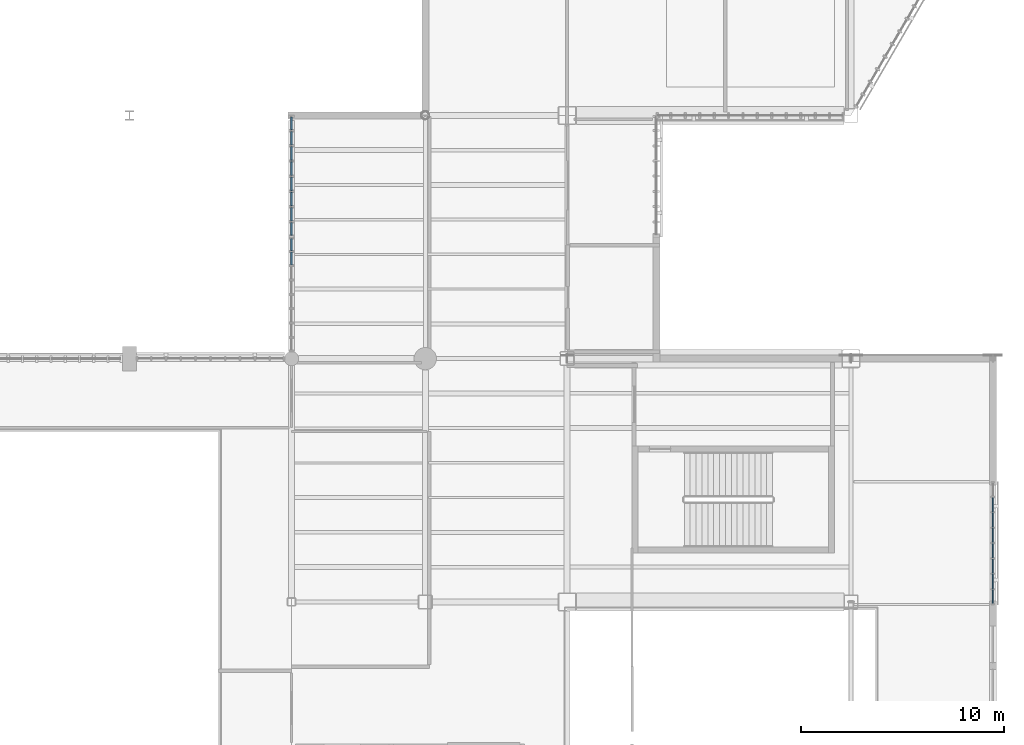
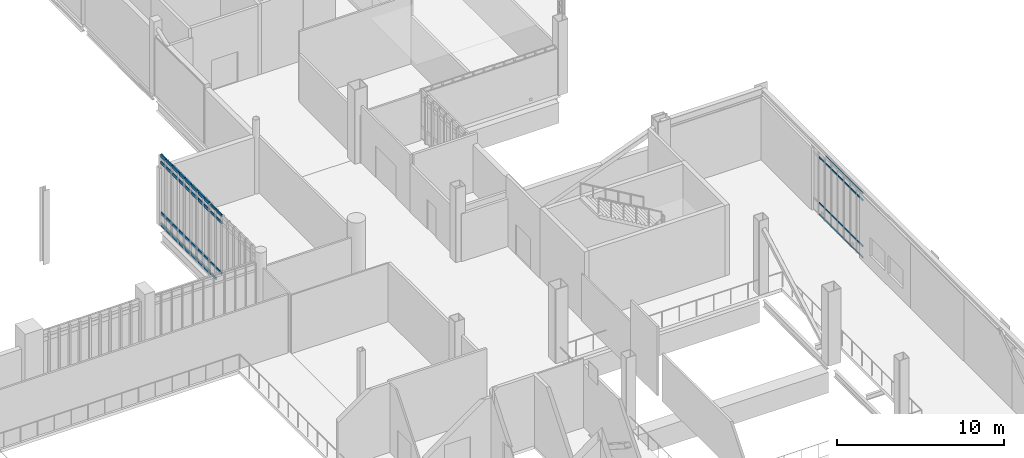
# One storey, part 55 of 127: 66 members, 3 elements without a shape of their own.
"""IFC4 building model written with IfcOpenShell, lengths in metres."""

from ifc_helpers import new_model, si_unit, direction, frame, origin, origin_2d, place, context, subcontext, project, spatial, rectangle, extrude, material, material_profile, profile_set, type_object, element, aggregate, save


model = new_model("IFC4")

# Units and contexts
model_context = context("Model", 3, precision=1e-05, world=origin(), true_north=direction((0.0, 1.0)))
body_context = subcontext(model_context, "Body", "Model", "MODEL_VIEW")
ifc_project = project(units=[si_unit("LENGTHUNIT", "METRE"), si_unit("AREAUNIT", "SQUARE_METRE"), si_unit("VOLUMEUNIT", "CUBIC_METRE"), si_unit("PLANEANGLEUNIT", "RADIAN"), si_unit("MASSUNIT", "GRAM", prefix="KILO")], contexts=[model_context])

# Site, building, storey
site_placement = place(None, origin())
site = spatial("IfcSite", under=ifc_project, at=site_placement, CompositionType="ELEMENT")
building_placement = place(site_placement, origin())
building = spatial("IfcBuilding", under=site, at=building_placement, Name="Larkvane Passage Sports Hall", CompositionType="ELEMENT")
storey_placement = place(building_placement, frame((0.0, 0.0, 5.39990234375)))
storey = spatial("IfcBuildingStorey", under=building, at=storey_placement, Name="L01", CompositionType="ELEMENT", Elevation=5.39990234375)

# Curtain wall, members
ifc_material_1 = material(Name="Thermally broken aluminium and low-E glazing", Category="aluminium")
curtain_wall_type_1 = type_object("IfcCurtainWallType", Name="CW-UNIT-COURT", PredefinedType="USERDEFINED", material=ifc_material_1)
curtain_wall_1_placement = place(storey_placement, origin())
curtain_wall_1 = element("IfcCurtainWall", 1, at=curtain_wall_1_placement, inside=storey, type_object=curtain_wall_type_1, Name="Curtain wall CW5-L01-060", ObjectType="UNITISED CURTAIN WALL", PredefinedType="USERDEFINED")
ifc_material_2 = material(Name="Anodised aluminium 6063-T6", Category="aluminium")
ifc_material_profile_1 = material_profile(ifc_material_2, rectangle(XDim=0.06005859375, YDim=0.1201171875, at=origin_2d()), Name="ALU-TRN-60x120")
ifc_profile_set_1 = profile_set([ifc_material_profile_1], Name="Anodised aluminium 6063-T6")
member_type_1 = type_object("IfcMemberType", Name="CW-TRN-60x120", PredefinedType="USERDEFINED", material=ifc_profile_set_1)
member_1_placement = place(storey_placement, frame((152.60009765625, 44.744873046875, 0.030029296875), z_axis=(0.0, -1.0, 0.0), x_axis=(1.0, 0.0, 0.0)))
member_1 = element("IfcMember", 2, at=member_1_placement, type_object=member_type_1, Name="CW-01 transom 2.1", ObjectType="TRANSOM", PredefinedType="USERDEFINED", context=body_context, shape_type="SweptSolid", body=[
    extrude(rectangle(XDim=0.06005859375, YDim=0.1201171875, at=origin_2d()), origin(), (0.0, 0.0, 1.0), 0.6982421875),
])
member_2_placement = place(storey_placement, frame((152.60009765625, 44.744873046875, 0.85009765625), z_axis=(0.0, -1.0, 0.0), x_axis=(1.0, 0.0, 0.0)))
member_2 = element("IfcMember", 3, at=member_2_placement, type_object=member_type_1, Name="CW-01 transom 2.2", ObjectType="TRANSOM", PredefinedType="USERDEFINED", context=body_context, shape_type="SweptSolid", body=[
    extrude(rectangle(XDim=0.06005859375, YDim=0.1201171875, at=origin_2d()), origin(), (0.0, 0.0, 1.0), 0.6982421875),
])
member_3_placement = place(storey_placement, frame((152.60009765625, 44.744873046875, 4.197998046875), z_axis=(0.0, -1.0, 0.0), x_axis=(1.0, 0.0, 0.0)))
member_3 = element("IfcMember", 4, at=member_3_placement, type_object=member_type_1, Name="CW-01 transom 2.3", ObjectType="TRANSOM", PredefinedType="USERDEFINED", context=body_context, shape_type="SweptSolid", body=[
    extrude(rectangle(XDim=0.06005859375, YDim=0.1201171875, at=origin_2d()), origin(), (0.0, 0.0, 1.0), 0.6982421875),
])
member_4_placement = place(storey_placement, frame((152.60009765625, 43.986572265625, 0.030029296875), z_axis=(0.0, -1.0, 0.0), x_axis=(1.0, 0.0, 0.0)))
member_4 = element("IfcMember", 5, at=member_4_placement, type_object=member_type_1, Name="CW-01 transom 3.1", ObjectType="TRANSOM", PredefinedType="USERDEFINED", context=body_context, shape_type="SweptSolid", body=[
    extrude(rectangle(XDim=0.06005859375, YDim=0.1201171875, at=origin_2d()), origin(), (0.0, 0.0, 1.0), 0.6982421875),
])
member_5_placement = place(storey_placement, frame((152.60009765625, 43.986572265625, 0.85009765625), z_axis=(0.0, -1.0, 0.0), x_axis=(1.0, 0.0, 0.0)))
member_5 = element("IfcMember", 6, at=member_5_placement, type_object=member_type_1, Name="CW-01 transom 3.2", ObjectType="TRANSOM", PredefinedType="USERDEFINED", context=body_context, shape_type="SweptSolid", body=[
    extrude(rectangle(XDim=0.06005859375, YDim=0.1201171875, at=origin_2d()), origin(), (0.0, 0.0, 1.0), 0.6982421875),
])
member_6_placement = place(storey_placement, frame((152.60009765625, 43.986572265625, 4.197998046875), z_axis=(0.0, -1.0, 0.0), x_axis=(1.0, 0.0, 0.0)))
member_6 = element("IfcMember", 7, at=member_6_placement, type_object=member_type_1, Name="CW-01 transom 3.3", ObjectType="TRANSOM", PredefinedType="USERDEFINED", context=body_context, shape_type="SweptSolid", body=[
    extrude(rectangle(XDim=0.06005859375, YDim=0.1201171875, at=origin_2d()), origin(), (0.0, 0.0, 1.0), 0.6982421875),
])
member_7_placement = place(storey_placement, frame((152.60009765625, 43.986572265625, 4.718017578125), z_axis=(0.0, -1.0, 0.0), x_axis=(1.0, 0.0, 0.0)))
member_7 = element("IfcMember", 8, at=member_7_placement, type_object=member_type_1, Name="CW-01 transom 3.4", ObjectType="TRANSOM", PredefinedType="USERDEFINED", context=body_context, shape_type="SweptSolid", body=[
    extrude(rectangle(XDim=0.06005859375, YDim=0.1201171875, at=origin_2d()), origin(), (0.0, 0.0, 1.0), 0.6982421875),
])
member_8_placement = place(storey_placement, frame((152.60009765625, 43.228271484375, 0.030029296875), z_axis=(0.0, -1.0, 0.0), x_axis=(1.0, 0.0, 0.0)))
member_8 = element("IfcMember", 9, at=member_8_placement, type_object=member_type_1, Name="CW-01 transom 4.1", ObjectType="TRANSOM", PredefinedType="USERDEFINED", context=body_context, shape_type="SweptSolid", body=[
    extrude(rectangle(XDim=0.06005859375, YDim=0.1201171875, at=origin_2d()), origin(), (0.0, 0.0, 1.0), 0.6982421875),
])
member_9_placement = place(storey_placement, frame((152.60009765625, 43.228271484375, 0.85009765625), z_axis=(0.0, -1.0, 0.0), x_axis=(1.0, 0.0, 0.0)))
member_9 = element("IfcMember", 10, at=member_9_placement, type_object=member_type_1, Name="CW-01 transom 4.2", ObjectType="TRANSOM", PredefinedType="USERDEFINED", context=body_context, shape_type="SweptSolid", body=[
    extrude(rectangle(XDim=0.06005859375, YDim=0.1201171875, at=origin_2d()), origin(), (0.0, 0.0, 1.0), 0.6982421875),
])
member_10_placement = place(storey_placement, frame((152.60009765625, 43.228271484375, 4.197998046875), z_axis=(0.0, -1.0, 0.0), x_axis=(1.0, 0.0, 0.0)))
member_10 = element("IfcMember", 11, at=member_10_placement, type_object=member_type_1, Name="CW-01 transom 4.3", ObjectType="TRANSOM", PredefinedType="USERDEFINED", context=body_context, shape_type="SweptSolid", body=[
    extrude(rectangle(XDim=0.06005859375, YDim=0.1201171875, at=origin_2d()), origin(), (0.0, 0.0, 1.0), 0.6982421875),
])
member_11_placement = place(storey_placement, frame((152.60009765625, 43.228271484375, 4.718017578125), z_axis=(0.0, -1.0, 0.0), x_axis=(1.0, 0.0, 0.0)))
member_11 = element("IfcMember", 12, at=member_11_placement, type_object=member_type_1, Name="CW-01 transom 4.4", ObjectType="TRANSOM", PredefinedType="USERDEFINED", context=body_context, shape_type="SweptSolid", body=[
    extrude(rectangle(XDim=0.06005859375, YDim=0.1201171875, at=origin_2d()), origin(), (0.0, 0.0, 1.0), 0.6982421875),
])
member_12_placement = place(storey_placement, frame((152.60009765625, 42.469970703125, 0.030029296875), z_axis=(0.0, -1.0, 0.0), x_axis=(1.0, 0.0, 0.0)))
member_12 = element("IfcMember", 13, at=member_12_placement, type_object=member_type_1, Name="CW-01 transom 5.1", ObjectType="TRANSOM", PredefinedType="USERDEFINED", context=body_context, shape_type="SweptSolid", body=[
    extrude(rectangle(XDim=0.06005859375, YDim=0.1201171875, at=origin_2d()), origin(), (0.0, 0.0, 1.0), 0.6982421875),
])
member_13_placement = place(storey_placement, frame((152.60009765625, 42.469970703125, 0.85009765625), z_axis=(0.0, -1.0, 0.0), x_axis=(1.0, 0.0, 0.0)))
member_13 = element("IfcMember", 14, at=member_13_placement, type_object=member_type_1, Name="CW-01 transom 5.2", ObjectType="TRANSOM", PredefinedType="USERDEFINED", context=body_context, shape_type="SweptSolid", body=[
    extrude(rectangle(XDim=0.06005859375, YDim=0.1201171875, at=origin_2d()), origin(), (0.0, 0.0, 1.0), 0.6982421875),
])
member_14_placement = place(storey_placement, frame((152.60009765625, 42.469970703125, 4.197998046875), z_axis=(0.0, -1.0, 0.0), x_axis=(1.0, 0.0, 0.0)))
member_14 = element("IfcMember", 15, at=member_14_placement, type_object=member_type_1, Name="CW-01 transom 5.3", ObjectType="TRANSOM", PredefinedType="USERDEFINED", context=body_context, shape_type="SweptSolid", body=[
    extrude(rectangle(XDim=0.06005859375, YDim=0.1201171875, at=origin_2d()), origin(), (0.0, 0.0, 1.0), 0.6982421875),
])
member_15_placement = place(storey_placement, frame((152.60009765625, 42.469970703125, 4.718017578125), z_axis=(0.0, -1.0, 0.0), x_axis=(1.0, 0.0, 0.0)))
member_15 = element("IfcMember", 16, at=member_15_placement, type_object=member_type_1, Name="CW-01 transom 5.4", ObjectType="TRANSOM", PredefinedType="USERDEFINED", context=body_context, shape_type="SweptSolid", body=[
    extrude(rectangle(XDim=0.06005859375, YDim=0.1201171875, at=origin_2d()), origin(), (0.0, 0.0, 1.0), 0.6982421875),
])
member_16_placement = place(storey_placement, frame((152.60009765625, 41.711669921875, 0.030029296875), z_axis=(0.0, -1.0, 0.0), x_axis=(1.0, 0.0, 0.0)))
member_16 = element("IfcMember", 17, at=member_16_placement, type_object=member_type_1, Name="CW-01 transom 6.1", ObjectType="TRANSOM", PredefinedType="USERDEFINED", context=body_context, shape_type="SweptSolid", body=[
    extrude(rectangle(XDim=0.06005859375, YDim=0.1201171875, at=origin_2d()), origin(), (0.0, 0.0, 1.0), 0.6982421875),
])
member_17_placement = place(storey_placement, frame((152.60009765625, 41.711669921875, 0.85009765625), z_axis=(0.0, -1.0, 0.0), x_axis=(1.0, 0.0, 0.0)))
member_17 = element("IfcMember", 18, at=member_17_placement, type_object=member_type_1, Name="CW-01 transom 6.2", ObjectType="TRANSOM", PredefinedType="USERDEFINED", context=body_context, shape_type="SweptSolid", body=[
    extrude(rectangle(XDim=0.06005859375, YDim=0.1201171875, at=origin_2d()), origin(), (0.0, 0.0, 1.0), 0.6982421875),
])
member_18_placement = place(storey_placement, frame((152.60009765625, 41.711669921875, 4.197998046875), z_axis=(0.0, -1.0, 0.0), x_axis=(1.0, 0.0, 0.0)))
member_18 = element("IfcMember", 19, at=member_18_placement, type_object=member_type_1, Name="CW-01 transom 6.3", ObjectType="TRANSOM", PredefinedType="USERDEFINED", context=body_context, shape_type="SweptSolid", body=[
    extrude(rectangle(XDim=0.06005859375, YDim=0.1201171875, at=origin_2d()), origin(), (0.0, 0.0, 1.0), 0.6982421875),
])
member_19_placement = place(storey_placement, frame((152.60009765625, 41.711669921875, 4.718017578125), z_axis=(0.0, -1.0, 0.0), x_axis=(1.0, 0.0, 0.0)))
member_19 = element("IfcMember", 20, at=member_19_placement, type_object=member_type_1, Name="CW-01 transom 6.4", ObjectType="TRANSOM", PredefinedType="USERDEFINED", context=body_context, shape_type="SweptSolid", body=[
    extrude(rectangle(XDim=0.06005859375, YDim=0.1201171875, at=origin_2d()), origin(), (0.0, 0.0, 1.0), 0.6982421875),
])
member_20_placement = place(storey_placement, frame((152.60009765625, 40.953369140625, 0.030029296875), z_axis=(0.0, -1.0, 0.0), x_axis=(1.0, 0.0, 0.0)))
member_20 = element("IfcMember", 21, at=member_20_placement, type_object=member_type_1, Name="CW-01 transom 7.1", ObjectType="TRANSOM", PredefinedType="USERDEFINED", context=body_context, shape_type="SweptSolid", body=[
    extrude(rectangle(XDim=0.06005859375, YDim=0.1201171875, at=origin_2d()), origin(), (0.0, 0.0, 1.0), 0.6982421875),
])
member_21_placement = place(storey_placement, frame((152.60009765625, 40.953369140625, 0.85009765625), z_axis=(0.0, -1.0, 0.0), x_axis=(1.0, 0.0, 0.0)))
member_21 = element("IfcMember", 22, at=member_21_placement, type_object=member_type_1, Name="CW-01 transom 7.2", ObjectType="TRANSOM", PredefinedType="USERDEFINED", context=body_context, shape_type="SweptSolid", body=[
    extrude(rectangle(XDim=0.06005859375, YDim=0.1201171875, at=origin_2d()), origin(), (0.0, 0.0, 1.0), 0.6982421875),
])
member_22_placement = place(storey_placement, frame((152.60009765625, 40.953369140625, 4.197998046875), z_axis=(0.0, -1.0, 0.0), x_axis=(1.0, 0.0, 0.0)))
member_22 = element("IfcMember", 23, at=member_22_placement, type_object=member_type_1, Name="CW-01 transom 7.3", ObjectType="TRANSOM", PredefinedType="USERDEFINED", context=body_context, shape_type="SweptSolid", body=[
    extrude(rectangle(XDim=0.06005859375, YDim=0.1201171875, at=origin_2d()), origin(), (0.0, 0.0, 1.0), 0.6982421875),
])
member_23_placement = place(storey_placement, frame((152.60009765625, 40.953369140625, 4.718017578125), z_axis=(0.0, -1.0, 0.0), x_axis=(1.0, 0.0, 0.0)))
member_23 = element("IfcMember", 24, at=member_23_placement, type_object=member_type_1, Name="CW-01 transom 7.4", ObjectType="TRANSOM", PredefinedType="USERDEFINED", context=body_context, shape_type="SweptSolid", body=[
    extrude(rectangle(XDim=0.06005859375, YDim=0.1201171875, at=origin_2d()), origin(), (0.0, 0.0, 1.0), 0.6982421875),
])
member_24_placement = place(storey_placement, frame((152.60009765625, 40.195068359375, 0.030029296875), z_axis=(0.0, -1.0, 0.0), x_axis=(1.0, 0.0, 0.0)))
member_24 = element("IfcMember", 25, at=member_24_placement, type_object=member_type_1, Name="CW-01 transom 8.1", ObjectType="TRANSOM", PredefinedType="USERDEFINED", context=body_context, shape_type="SweptSolid", body=[
    extrude(rectangle(XDim=0.06005859375, YDim=0.1201171875, at=origin_2d()), origin(), (0.0, 0.0, 1.0), 0.66845703125),
])
member_25_placement = place(storey_placement, frame((152.60009765625, 40.195068359375, 0.85009765625), z_axis=(0.0, -1.0, 0.0), x_axis=(1.0, 0.0, 0.0)))
member_25 = element("IfcMember", 26, at=member_25_placement, type_object=member_type_1, Name="CW-01 transom 8.2", ObjectType="TRANSOM", PredefinedType="USERDEFINED", context=body_context, shape_type="SweptSolid", body=[
    extrude(rectangle(XDim=0.06005859375, YDim=0.1201171875, at=origin_2d()), origin(), (0.0, 0.0, 1.0), 0.66845703125),
])
member_26_placement = place(storey_placement, frame((152.60009765625, 40.195068359375, 4.197998046875), z_axis=(0.0, -1.0, 0.0), x_axis=(1.0, 0.0, 0.0)))
member_26 = element("IfcMember", 27, at=member_26_placement, type_object=member_type_1, Name="CW-01 transom 8.3", ObjectType="TRANSOM", PredefinedType="USERDEFINED", context=body_context, shape_type="SweptSolid", body=[
    extrude(rectangle(XDim=0.06005859375, YDim=0.1201171875, at=origin_2d()), origin(), (0.0, 0.0, 1.0), 0.66845703125),
])
member_27_placement = place(storey_placement, frame((152.60009765625, 40.195068359375, 4.718017578125), z_axis=(0.0, -1.0, 0.0), x_axis=(1.0, 0.0, 0.0)))
member_27 = element("IfcMember", 28, at=member_27_placement, type_object=member_type_1, Name="CW-01 transom 8.4", ObjectType="TRANSOM", PredefinedType="USERDEFINED", context=body_context, shape_type="SweptSolid", body=[
    extrude(rectangle(XDim=0.06005859375, YDim=0.1201171875, at=origin_2d()), origin(), (0.0, 0.0, 1.0), 0.66845703125),
])
aggregate(curtain_wall_1, [member_1, member_2, member_3, member_4, member_5, member_6, member_7, member_8, member_9, member_10, member_11, member_12, member_13, member_14, member_15, member_16, member_17, member_18, member_19, member_20, member_21, member_22, member_23, member_24, member_25, member_26, member_27])

curtain_wall_type_2 = type_object("IfcCurtainWallType", Name="CW-UNIT-VEIL", PredefinedType="USERDEFINED", material=ifc_material_1)
curtain_wall_2_placement = place(storey_placement, origin())
curtain_wall_2 = element("IfcCurtainWall", 29, at=curtain_wall_2_placement, inside=storey, type_object=curtain_wall_type_2, Name="Curtain wall CW5-L01-049", ObjectType="UNITISED CURTAIN WALL", PredefinedType="USERDEFINED")
ifc_material_profile_2 = material_profile(ifc_material_2, rectangle(XDim=0.074951171875, YDim=0.18505859375, at=origin_2d()), Name="ALU-TRN-75x185")
ifc_profile_set_2 = profile_set([ifc_material_profile_2], Name="Anodised aluminium 6063-T6")
member_type_2 = type_object("IfcMemberType", Name="CW-TRN-75x185", PredefinedType="USERDEFINED", material=ifc_profile_set_2)
member_28_placement = place(storey_placement, frame((118.0, 56.22412109375, 0.85009765625), z_axis=(0.0, 1.0, 0.0), x_axis=(-1.0, 0.0, 0.0)))
member_28 = element("IfcMember", 30, at=member_28_placement, type_object=member_type_2, Name="CW-02 transom 7.2", ObjectType="TRANSOM", PredefinedType="USERDEFINED", context=body_context, shape_type="SweptSolid", body=[
    extrude(rectangle(XDim=0.074951171875, YDim=0.18505859375, at=origin_2d()), origin(), (0.0, 0.0, 1.0), 0.631591796875),
])
member_29_placement = place(storey_placement, frame((118.0, 56.22412109375, 4.550048828125), z_axis=(0.0, 1.0, 0.0), x_axis=(-1.0, 0.0, 0.0)))
member_29 = element("IfcMember", 31, at=member_29_placement, type_object=member_type_2, Name="CW-02 transom 7.3", ObjectType="TRANSOM", PredefinedType="USERDEFINED", context=body_context, shape_type="SweptSolid", body=[
    extrude(rectangle(XDim=0.074951171875, YDim=0.18505859375, at=origin_2d()), origin(), (0.0, 0.0, 1.0), 0.631591796875),
])
member_30_placement = place(storey_placement, frame((118.0, 56.22412109375, 5.0625), z_axis=(0.0, 1.0, 0.0), x_axis=(-1.0, 0.0, 0.0)))
member_30 = element("IfcMember", 32, at=member_30_placement, type_object=member_type_2, Name="CW-02 transom 7.4", ObjectType="TRANSOM", PredefinedType="USERDEFINED", context=body_context, shape_type="SweptSolid", body=[
    extrude(rectangle(XDim=0.074951171875, YDim=0.18505859375, at=origin_2d()), origin(), (0.0, 0.0, 1.0), 0.631591796875),
])
member_31_placement = place(storey_placement, frame((118.0, 56.9306640625, 0.03759765625), z_axis=(0.0, 1.0, 0.0), x_axis=(-1.0, 0.0, 0.0)))
member_31 = element("IfcMember", 33, at=member_31_placement, type_object=member_type_2, Name="CW-02 transom 8.1", ObjectType="TRANSOM", PredefinedType="USERDEFINED", context=body_context, shape_type="SweptSolid", body=[
    extrude(rectangle(XDim=0.074951171875, YDim=0.18505859375, at=origin_2d()), origin(), (0.0, 0.0, 1.0), 0.59423828125),
])
member_32_placement = place(storey_placement, frame((118.0, 56.9306640625, 0.85009765625), z_axis=(0.0, 1.0, 0.0), x_axis=(-1.0, 0.0, 0.0)))
member_32 = element("IfcMember", 34, at=member_32_placement, type_object=member_type_2, Name="CW-02 transom 8.2", ObjectType="TRANSOM", PredefinedType="USERDEFINED", context=body_context, shape_type="SweptSolid", body=[
    extrude(rectangle(XDim=0.074951171875, YDim=0.18505859375, at=origin_2d()), origin(), (0.0, 0.0, 1.0), 0.59423828125),
])
member_33_placement = place(storey_placement, frame((118.0, 56.9306640625, 4.550048828125), z_axis=(0.0, 1.0, 0.0), x_axis=(-1.0, 0.0, 0.0)))
member_33 = element("IfcMember", 35, at=member_33_placement, type_object=member_type_2, Name="CW-02 transom 8.3", ObjectType="TRANSOM", PredefinedType="USERDEFINED", context=body_context, shape_type="SweptSolid", body=[
    extrude(rectangle(XDim=0.074951171875, YDim=0.18505859375, at=origin_2d()), origin(), (0.0, 0.0, 1.0), 0.59423828125),
])
member_34_placement = place(storey_placement, frame((118.0, 56.9306640625, 5.0625), z_axis=(0.0, 1.0, 0.0), x_axis=(-1.0, 0.0, 0.0)))
member_34 = element("IfcMember", 36, at=member_34_placement, type_object=member_type_2, Name="CW-02 transom 8.4", ObjectType="TRANSOM", PredefinedType="USERDEFINED", context=body_context, shape_type="SweptSolid", body=[
    extrude(rectangle(XDim=0.074951171875, YDim=0.18505859375, at=origin_2d()), origin(), (0.0, 0.0, 1.0), 0.59423828125),
])
aggregate(curtain_wall_2, [member_28, member_29, member_30, member_31, member_32, member_33, member_34])

curtain_wall_type_3 = type_object("IfcCurtainWallType", Name="CW-STICK-FOYER", PredefinedType="USERDEFINED", material=ifc_material_1)
curtain_wall_3_placement = place(storey_placement, origin())
curtain_wall_3 = element("IfcCurtainWall", 37, at=curtain_wall_3_placement, inside=storey, type_object=curtain_wall_type_3, Name="Curtain wall CW5-L01-050", ObjectType="STICK CURTAIN WALL", PredefinedType="USERDEFINED")
ifc_material_profile_3 = material_profile(ifc_material_2, rectangle(XDim=0.090087890625, YDim=0.235107421875, at=origin_2d()), Name="ALU-TRN-90x235")
ifc_profile_set_3 = profile_set([ifc_material_profile_3], Name="Anodised aluminium 6063-T6")
member_type_3 = type_object("IfcMemberType", Name="CW-TRN-90x235", PredefinedType="USERDEFINED", material=ifc_profile_set_3)
member_35_placement = place(storey_placement, frame((118.0, 57.68994140625, 0.045166015625), z_axis=(0.0, 1.0, 0.0), x_axis=(-1.0, 0.0, 0.0)))
member_35 = element("IfcMember", 38, at=member_35_placement, type_object=member_type_3, Name="CW-03 transom 1.1", ObjectType="TRANSOM", PredefinedType="USERDEFINED", context=body_context, shape_type="SweptSolid", body=[
    extrude(rectangle(XDim=0.090087890625, YDim=0.235107421875, at=origin_2d()), origin(), (0.0, 0.0, 1.0), 0.614990234375),
])
member_36_placement = place(storey_placement, frame((118.0, 57.68994140625, 0.85009765625), z_axis=(0.0, 1.0, 0.0), x_axis=(-1.0, 0.0, 0.0)))
member_36 = element("IfcMember", 39, at=member_36_placement, type_object=member_type_3, Name="CW-03 transom 1.2", ObjectType="TRANSOM", PredefinedType="USERDEFINED", context=body_context, shape_type="SweptSolid", body=[
    extrude(rectangle(XDim=0.090087890625, YDim=0.235107421875, at=origin_2d()), origin(), (0.0, 0.0, 1.0), 0.614990234375),
])
member_37_placement = place(storey_placement, frame((118.0, 57.68994140625, 4.550048828125), z_axis=(0.0, 1.0, 0.0), x_axis=(-1.0, 0.0, 0.0)))
member_37 = element("IfcMember", 40, at=member_37_placement, type_object=member_type_3, Name="CW-03 transom 1.3", ObjectType="TRANSOM", PredefinedType="USERDEFINED", context=body_context, shape_type="SweptSolid", body=[
    extrude(rectangle(XDim=0.090087890625, YDim=0.235107421875, at=origin_2d()), origin(), (0.0, 0.0, 1.0), 0.614990234375),
])
member_38_placement = place(storey_placement, frame((118.0, 57.68994140625, 5.05517578125), z_axis=(0.0, 1.0, 0.0), x_axis=(-1.0, 0.0, 0.0)))
member_38 = element("IfcMember", 41, at=member_38_placement, type_object=member_type_3, Name="CW-03 transom 1.4", ObjectType="TRANSOM", PredefinedType="USERDEFINED", context=body_context, shape_type="SweptSolid", body=[
    extrude(rectangle(XDim=0.090087890625, YDim=0.235107421875, at=origin_2d()), origin(), (0.0, 0.0, 1.0), 0.614990234375),
])
member_39_placement = place(storey_placement, frame((118.0, 58.39501953125, 0.045166015625), z_axis=(0.0, 1.0, 0.0), x_axis=(-1.0, 0.0, 0.0)))
member_39 = element("IfcMember", 42, at=member_39_placement, type_object=member_type_3, Name="CW-03 transom 2.1", ObjectType="TRANSOM", PredefinedType="USERDEFINED", context=body_context, shape_type="SweptSolid", body=[
    extrude(rectangle(XDim=0.090087890625, YDim=0.235107421875, at=origin_2d()), origin(), (0.0, 0.0, 1.0), 0.659912109375),
])
member_40_placement = place(storey_placement, frame((118.0, 58.39501953125, 0.85009765625), z_axis=(0.0, 1.0, 0.0), x_axis=(-1.0, 0.0, 0.0)))
member_40 = element("IfcMember", 43, at=member_40_placement, type_object=member_type_3, Name="CW-03 transom 2.2", ObjectType="TRANSOM", PredefinedType="USERDEFINED", context=body_context, shape_type="SweptSolid", body=[
    extrude(rectangle(XDim=0.090087890625, YDim=0.235107421875, at=origin_2d()), origin(), (0.0, 0.0, 1.0), 0.659912109375),
])
member_41_placement = place(storey_placement, frame((118.0, 58.39501953125, 4.550048828125), z_axis=(0.0, 1.0, 0.0), x_axis=(-1.0, 0.0, 0.0)))
member_41 = element("IfcMember", 44, at=member_41_placement, type_object=member_type_3, Name="CW-03 transom 2.3", ObjectType="TRANSOM", PredefinedType="USERDEFINED", context=body_context, shape_type="SweptSolid", body=[
    extrude(rectangle(XDim=0.090087890625, YDim=0.235107421875, at=origin_2d()), origin(), (0.0, 0.0, 1.0), 0.659912109375),
])
member_42_placement = place(storey_placement, frame((118.0, 58.39501953125, 5.05517578125), z_axis=(0.0, 1.0, 0.0), x_axis=(-1.0, 0.0, 0.0)))
member_42 = element("IfcMember", 45, at=member_42_placement, type_object=member_type_3, Name="CW-03 transom 2.4", ObjectType="TRANSOM", PredefinedType="USERDEFINED", context=body_context, shape_type="SweptSolid", body=[
    extrude(rectangle(XDim=0.090087890625, YDim=0.235107421875, at=origin_2d()), origin(), (0.0, 0.0, 1.0), 0.659912109375),
])
member_43_placement = place(storey_placement, frame((118.0, 59.14501953125, 0.045166015625), z_axis=(0.0, 1.0, 0.0), x_axis=(-1.0, 0.0, 0.0)))
member_43 = element("IfcMember", 46, at=member_43_placement, type_object=member_type_3, Name="CW-03 transom 3.1", ObjectType="TRANSOM", PredefinedType="USERDEFINED", context=body_context, shape_type="SweptSolid", body=[
    extrude(rectangle(XDim=0.090087890625, YDim=0.235107421875, at=origin_2d()), origin(), (0.0, 0.0, 1.0), 0.659912109375),
])
member_44_placement = place(storey_placement, frame((118.0, 59.14501953125, 0.85009765625), z_axis=(0.0, 1.0, 0.0), x_axis=(-1.0, 0.0, 0.0)))
member_44 = element("IfcMember", 47, at=member_44_placement, type_object=member_type_3, Name="CW-03 transom 3.2", ObjectType="TRANSOM", PredefinedType="USERDEFINED", context=body_context, shape_type="SweptSolid", body=[
    extrude(rectangle(XDim=0.090087890625, YDim=0.235107421875, at=origin_2d()), origin(), (0.0, 0.0, 1.0), 0.659912109375),
])
member_45_placement = place(storey_placement, frame((118.0, 59.14501953125, 4.550048828125), z_axis=(0.0, 1.0, 0.0), x_axis=(-1.0, 0.0, 0.0)))
member_45 = element("IfcMember", 48, at=member_45_placement, type_object=member_type_3, Name="CW-03 transom 3.3", ObjectType="TRANSOM", PredefinedType="USERDEFINED", context=body_context, shape_type="SweptSolid", body=[
    extrude(rectangle(XDim=0.090087890625, YDim=0.235107421875, at=origin_2d()), origin(), (0.0, 0.0, 1.0), 0.659912109375),
])
member_46_placement = place(storey_placement, frame((118.0, 59.14501953125, 5.05517578125), z_axis=(0.0, 1.0, 0.0), x_axis=(-1.0, 0.0, 0.0)))
member_46 = element("IfcMember", 49, at=member_46_placement, type_object=member_type_3, Name="CW-03 transom 3.4", ObjectType="TRANSOM", PredefinedType="USERDEFINED", context=body_context, shape_type="SweptSolid", body=[
    extrude(rectangle(XDim=0.090087890625, YDim=0.235107421875, at=origin_2d()), origin(), (0.0, 0.0, 1.0), 0.659912109375),
])
member_47_placement = place(storey_placement, frame((118.0, 59.89501953125, 0.045166015625), z_axis=(0.0, 1.0, 0.0), x_axis=(-1.0, 0.0, 0.0)))
member_47 = element("IfcMember", 50, at=member_47_placement, type_object=member_type_3, Name="CW-03 transom 4.1", ObjectType="TRANSOM", PredefinedType="USERDEFINED", context=body_context, shape_type="SweptSolid", body=[
    extrude(rectangle(XDim=0.090087890625, YDim=0.235107421875, at=origin_2d()), origin(), (0.0, 0.0, 1.0), 0.659912109375),
])
member_48_placement = place(storey_placement, frame((118.0, 59.89501953125, 0.85009765625), z_axis=(0.0, 1.0, 0.0), x_axis=(-1.0, 0.0, 0.0)))
member_48 = element("IfcMember", 51, at=member_48_placement, type_object=member_type_3, Name="CW-03 transom 4.2", ObjectType="TRANSOM", PredefinedType="USERDEFINED", context=body_context, shape_type="SweptSolid", body=[
    extrude(rectangle(XDim=0.090087890625, YDim=0.235107421875, at=origin_2d()), origin(), (0.0, 0.0, 1.0), 0.659912109375),
])
member_49_placement = place(storey_placement, frame((118.0, 59.89501953125, 4.550048828125), z_axis=(0.0, 1.0, 0.0), x_axis=(-1.0, 0.0, 0.0)))
member_49 = element("IfcMember", 52, at=member_49_placement, type_object=member_type_3, Name="CW-03 transom 4.3", ObjectType="TRANSOM", PredefinedType="USERDEFINED", context=body_context, shape_type="SweptSolid", body=[
    extrude(rectangle(XDim=0.090087890625, YDim=0.235107421875, at=origin_2d()), origin(), (0.0, 0.0, 1.0), 0.659912109375),
])
member_50_placement = place(storey_placement, frame((118.0, 59.89501953125, 5.05517578125), z_axis=(0.0, 1.0, 0.0), x_axis=(-1.0, 0.0, 0.0)))
member_50 = element("IfcMember", 53, at=member_50_placement, type_object=member_type_3, Name="CW-03 transom 4.4", ObjectType="TRANSOM", PredefinedType="USERDEFINED", context=body_context, shape_type="SweptSolid", body=[
    extrude(rectangle(XDim=0.090087890625, YDim=0.235107421875, at=origin_2d()), origin(), (0.0, 0.0, 1.0), 0.659912109375),
])
member_51_placement = place(storey_placement, frame((118.0, 60.64501953125, 0.045166015625), z_axis=(0.0, 1.0, 0.0), x_axis=(-1.0, 0.0, 0.0)))
member_51 = element("IfcMember", 54, at=member_51_placement, type_object=member_type_3, Name="CW-03 transom 5.1", ObjectType="TRANSOM", PredefinedType="USERDEFINED", context=body_context, shape_type="SweptSolid", body=[
    extrude(rectangle(XDim=0.090087890625, YDim=0.235107421875, at=origin_2d()), origin(), (0.0, 0.0, 1.0), 0.659912109375),
])
member_52_placement = place(storey_placement, frame((118.0, 60.64501953125, 0.85009765625), z_axis=(0.0, 1.0, 0.0), x_axis=(-1.0, 0.0, 0.0)))
member_52 = element("IfcMember", 55, at=member_52_placement, type_object=member_type_3, Name="CW-03 transom 5.2", ObjectType="TRANSOM", PredefinedType="USERDEFINED", context=body_context, shape_type="SweptSolid", body=[
    extrude(rectangle(XDim=0.090087890625, YDim=0.235107421875, at=origin_2d()), origin(), (0.0, 0.0, 1.0), 0.659912109375),
])
member_53_placement = place(storey_placement, frame((118.0, 60.64501953125, 4.550048828125), z_axis=(0.0, 1.0, 0.0), x_axis=(-1.0, 0.0, 0.0)))
member_53 = element("IfcMember", 56, at=member_53_placement, type_object=member_type_3, Name="CW-03 transom 5.3", ObjectType="TRANSOM", PredefinedType="USERDEFINED", context=body_context, shape_type="SweptSolid", body=[
    extrude(rectangle(XDim=0.090087890625, YDim=0.235107421875, at=origin_2d()), origin(), (0.0, 0.0, 1.0), 0.659912109375),
])
member_54_placement = place(storey_placement, frame((118.0, 60.64501953125, 5.05517578125), z_axis=(0.0, 1.0, 0.0), x_axis=(-1.0, 0.0, 0.0)))
member_54 = element("IfcMember", 57, at=member_54_placement, type_object=member_type_3, Name="CW-03 transom 5.4", ObjectType="TRANSOM", PredefinedType="USERDEFINED", context=body_context, shape_type="SweptSolid", body=[
    extrude(rectangle(XDim=0.090087890625, YDim=0.235107421875, at=origin_2d()), origin(), (0.0, 0.0, 1.0), 0.659912109375),
])
member_55_placement = place(storey_placement, frame((118.0, 61.39501953125, 0.045166015625), z_axis=(0.0, 1.0, 0.0), x_axis=(-1.0, 0.0, 0.0)))
member_55 = element("IfcMember", 58, at=member_55_placement, type_object=member_type_3, Name="CW-03 transom 6.1", ObjectType="TRANSOM", PredefinedType="USERDEFINED", context=body_context, shape_type="SweptSolid", body=[
    extrude(rectangle(XDim=0.090087890625, YDim=0.235107421875, at=origin_2d()), origin(), (0.0, 0.0, 1.0), 0.659912109375),
])
member_56_placement = place(storey_placement, frame((118.0, 61.39501953125, 0.85009765625), z_axis=(0.0, 1.0, 0.0), x_axis=(-1.0, 0.0, 0.0)))
member_56 = element("IfcMember", 59, at=member_56_placement, type_object=member_type_3, Name="CW-03 transom 6.2", ObjectType="TRANSOM", PredefinedType="USERDEFINED", context=body_context, shape_type="SweptSolid", body=[
    extrude(rectangle(XDim=0.090087890625, YDim=0.235107421875, at=origin_2d()), origin(), (0.0, 0.0, 1.0), 0.659912109375),
])
member_57_placement = place(storey_placement, frame((118.0, 61.39501953125, 4.550048828125), z_axis=(0.0, 1.0, 0.0), x_axis=(-1.0, 0.0, 0.0)))
member_57 = element("IfcMember", 60, at=member_57_placement, type_object=member_type_3, Name="CW-03 transom 6.3", ObjectType="TRANSOM", PredefinedType="USERDEFINED", context=body_context, shape_type="SweptSolid", body=[
    extrude(rectangle(XDim=0.090087890625, YDim=0.235107421875, at=origin_2d()), origin(), (0.0, 0.0, 1.0), 0.659912109375),
])
member_58_placement = place(storey_placement, frame((118.0, 61.39501953125, 5.05517578125), z_axis=(0.0, 1.0, 0.0), x_axis=(-1.0, 0.0, 0.0)))
member_58 = element("IfcMember", 61, at=member_58_placement, type_object=member_type_3, Name="CW-03 transom 6.4", ObjectType="TRANSOM", PredefinedType="USERDEFINED", context=body_context, shape_type="SweptSolid", body=[
    extrude(rectangle(XDim=0.090087890625, YDim=0.235107421875, at=origin_2d()), origin(), (0.0, 0.0, 1.0), 0.659912109375),
])
member_59_placement = place(storey_placement, frame((118.0, 62.14501953125, 0.045166015625), z_axis=(0.0, 1.0, 0.0), x_axis=(-1.0, 0.0, 0.0)))
member_59 = element("IfcMember", 62, at=member_59_placement, type_object=member_type_3, Name="CW-03 transom 7.1", ObjectType="TRANSOM", PredefinedType="USERDEFINED", context=body_context, shape_type="SweptSolid", body=[
    extrude(rectangle(XDim=0.090087890625, YDim=0.235107421875, at=origin_2d()), origin(), (0.0, 0.0, 1.0), 0.659912109375),
])
member_60_placement = place(storey_placement, frame((118.0, 62.14501953125, 0.85009765625), z_axis=(0.0, 1.0, 0.0), x_axis=(-1.0, 0.0, 0.0)))
member_60 = element("IfcMember", 63, at=member_60_placement, type_object=member_type_3, Name="CW-03 transom 7.2", ObjectType="TRANSOM", PredefinedType="USERDEFINED", context=body_context, shape_type="SweptSolid", body=[
    extrude(rectangle(XDim=0.090087890625, YDim=0.235107421875, at=origin_2d()), origin(), (0.0, 0.0, 1.0), 0.659912109375),
])
member_61_placement = place(storey_placement, frame((118.0, 62.14501953125, 4.550048828125), z_axis=(0.0, 1.0, 0.0), x_axis=(-1.0, 0.0, 0.0)))
member_61 = element("IfcMember", 64, at=member_61_placement, type_object=member_type_3, Name="CW-03 transom 7.3", ObjectType="TRANSOM", PredefinedType="USERDEFINED", context=body_context, shape_type="SweptSolid", body=[
    extrude(rectangle(XDim=0.090087890625, YDim=0.235107421875, at=origin_2d()), origin(), (0.0, 0.0, 1.0), 0.659912109375),
])
member_62_placement = place(storey_placement, frame((118.0, 62.14501953125, 5.05517578125), z_axis=(0.0, 1.0, 0.0), x_axis=(-1.0, 0.0, 0.0)))
member_62 = element("IfcMember", 65, at=member_62_placement, type_object=member_type_3, Name="CW-03 transom 7.4", ObjectType="TRANSOM", PredefinedType="USERDEFINED", context=body_context, shape_type="SweptSolid", body=[
    extrude(rectangle(XDim=0.090087890625, YDim=0.235107421875, at=origin_2d()), origin(), (0.0, 0.0, 1.0), 0.659912109375),
])
member_63_placement = place(storey_placement, frame((118.0, 62.89501953125, 0.045166015625), z_axis=(0.0, 1.0, 0.0), x_axis=(-1.0, 0.0, 0.0)))
member_63 = element("IfcMember", 66, at=member_63_placement, type_object=member_type_3, Name="CW-03 transom 8.1", ObjectType="TRANSOM", PredefinedType="USERDEFINED", context=body_context, shape_type="SweptSolid", body=[
    extrude(rectangle(XDim=0.090087890625, YDim=0.235107421875, at=origin_2d()), origin(), (0.0, 0.0, 1.0), 0.614990234375),
])
member_64_placement = place(storey_placement, frame((118.0, 62.89501953125, 0.85009765625), z_axis=(0.0, 1.0, 0.0), x_axis=(-1.0, 0.0, 0.0)))
member_64 = element("IfcMember", 67, at=member_64_placement, type_object=member_type_3, Name="CW-03 transom 8.2", ObjectType="TRANSOM", PredefinedType="USERDEFINED", context=body_context, shape_type="SweptSolid", body=[
    extrude(rectangle(XDim=0.090087890625, YDim=0.235107421875, at=origin_2d()), origin(), (0.0, 0.0, 1.0), 0.614990234375),
])
member_65_placement = place(storey_placement, frame((118.0, 62.89501953125, 4.550048828125), z_axis=(0.0, 1.0, 0.0), x_axis=(-1.0, 0.0, 0.0)))
member_65 = element("IfcMember", 68, at=member_65_placement, type_object=member_type_3, Name="CW-03 transom 8.3", ObjectType="TRANSOM", PredefinedType="USERDEFINED", context=body_context, shape_type="SweptSolid", body=[
    extrude(rectangle(XDim=0.090087890625, YDim=0.235107421875, at=origin_2d()), origin(), (0.0, 0.0, 1.0), 0.614990234375),
])
member_66_placement = place(storey_placement, frame((118.0, 62.89501953125, 5.05517578125), z_axis=(0.0, 1.0, 0.0), x_axis=(-1.0, 0.0, 0.0)))
member_66 = element("IfcMember", 69, at=member_66_placement, type_object=member_type_3, Name="CW-03 transom 8.4", ObjectType="TRANSOM", PredefinedType="USERDEFINED", context=body_context, shape_type="SweptSolid", body=[
    extrude(rectangle(XDim=0.090087890625, YDim=0.235107421875, at=origin_2d()), origin(), (0.0, 0.0, 1.0), 0.614990234375),
])
aggregate(curtain_wall_3, [member_35, member_36, member_37, member_38, member_39, member_40, member_41, member_42, member_43, member_44, member_45, member_46, member_47, member_48, member_49, member_50, member_51, member_52, member_53, member_54, member_55, member_56, member_57, member_58, member_59, member_60, member_61, member_62, member_63, member_64, member_65, member_66])

save(model, "model.ifc")
